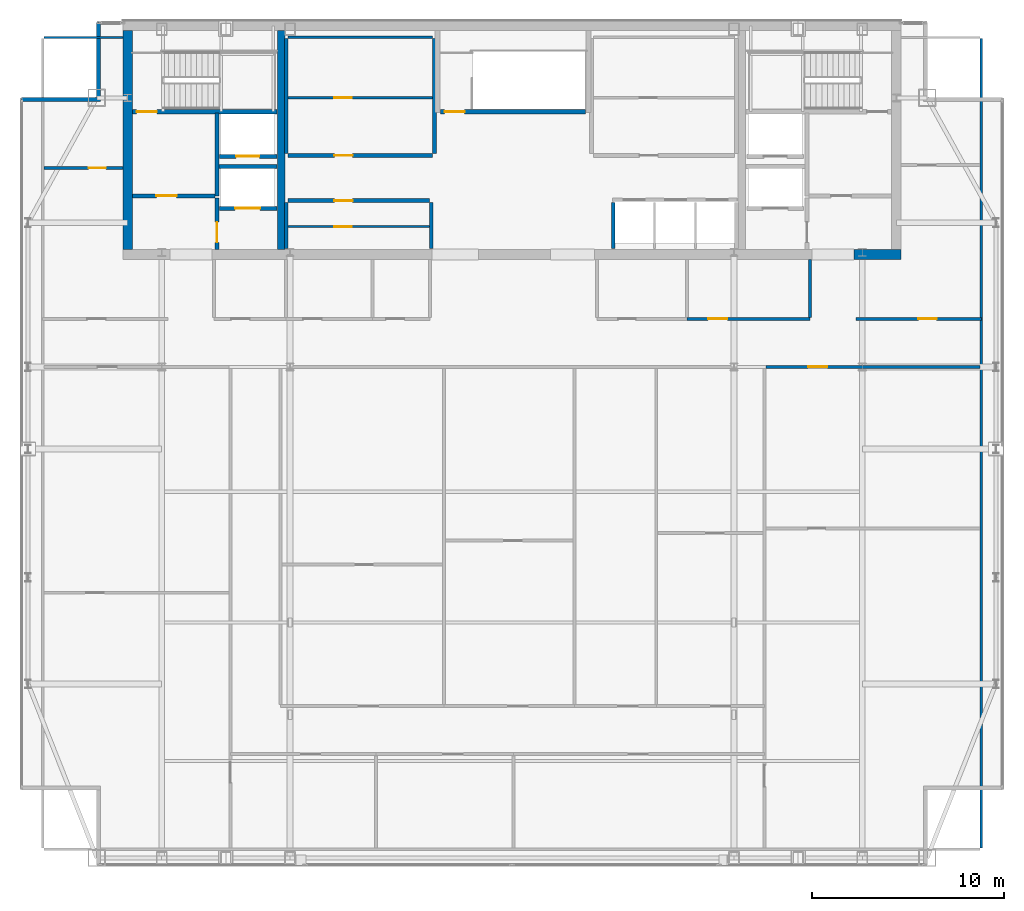
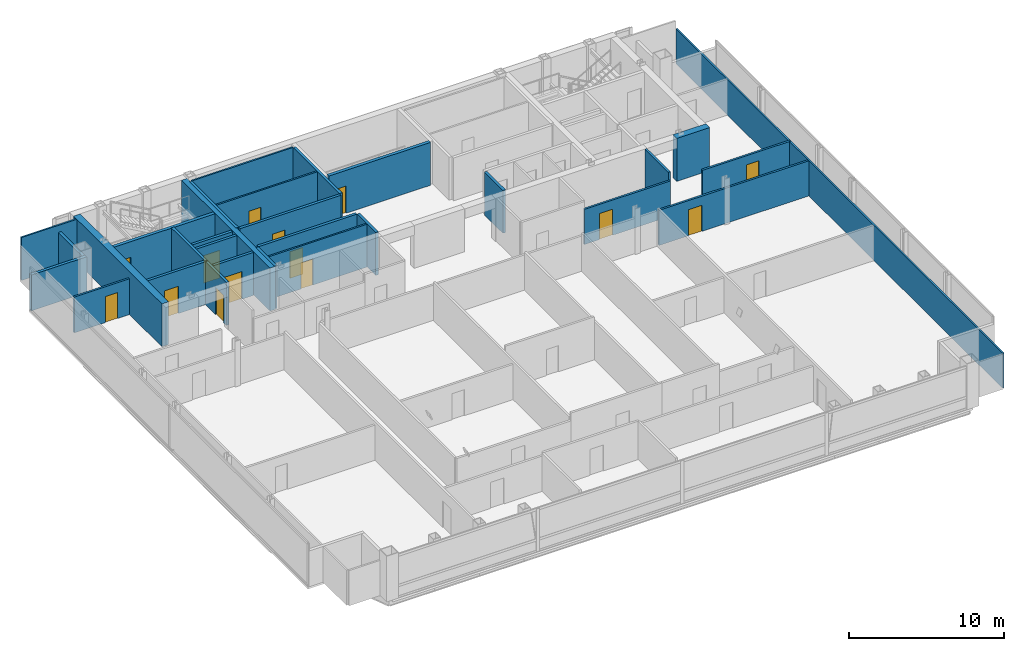
# One storey, part 20 of 24: 30 walls, 14 doors, 14 openings.
"""IFC4 building model written with IfcOpenShell, lengths in metres."""

from ifc_helpers import new_model, si_unit, direction, frame, frame_2d, origin, place, context, subcontext, project, spatial, rectangle, extrude, material, layer, layer_set, type_object, element, fill, save


model = new_model("IFC4")

# Units and contexts
model_context = context("Model", 3, precision=1e-05, world=origin(), true_north=direction((0.0, 1.0)))
body_context = subcontext(model_context, "Body", "Model", "MODEL_VIEW")
ifc_project = project(units=[si_unit("LENGTHUNIT", "METRE"), si_unit("AREAUNIT", "SQUARE_METRE"), si_unit("VOLUMEUNIT", "CUBIC_METRE"), si_unit("PLANEANGLEUNIT", "RADIAN"), si_unit("MASSUNIT", "GRAM", prefix="KILO")], contexts=[model_context])

# Site, building, storey
site_placement = place(None, origin())
site = spatial("IfcSite", under=ifc_project, at=site_placement, CompositionType="ELEMENT")
building_placement = place(site_placement, origin())
building = spatial("IfcBuilding", under=site, at=building_placement, Name="Khoronbel Lancet Exchange", CompositionType="ELEMENT")
storey_placement = place(building_placement, frame((0.0, 0.0, 347.0)))
storey = spatial("IfcBuildingStorey", under=building, at=storey_placement, Name="L90", CompositionType="ELEMENT", Elevation=347.0)

# Walls
ifc_material_1 = material(Name="Concrete C60/75", Category="concrete")
ifc_layer_1 = layer(ifc_material_1, 0.5, Name="Concrete C60/75")
ifc_layer_set_1 = layer_set([ifc_layer_1], Name="Concrete C60/75")
wall_type_1 = type_object("IfcWallType", Name="WL-CW4", PredefinedType="SHEAR", material=ifc_layer_set_1)
wall_1_placement = place(storey_placement, frame((16.449951171875, 41.800048828125, 0.0), z_axis=(0.0, 0.0, 1.0), x_axis=(0.0, 1.0, 0.0)))
element("IfcWall", 1, at=wall_1_placement, inside=storey, type_object=wall_type_1, Name="Level L90 rear core west shear wall", PredefinedType="SHEAR", context=body_context, shape_type="SweptSolid", body=[
    extrude(rectangle(XDim=11.39990234375, YDim=0.5, at=frame_2d((5.699951171875, 0.0))), origin(), (0.0, 0.0, 1.0), 3.3798828125),
])
wall_2_placement = place(storey_placement, frame((56.699951171875, 41.550048828125, 0.0), z_axis=(0.0, 0.0, 1.0), x_axis=(-1.0, 0.0, 0.0)))
element("IfcWall", 2, at=wall_2_placement, inside=storey, type_object=wall_type_1, Name="Level L90 rear core south shear wall pier P5", PredefinedType="SHEAR", context=body_context, shape_type="SweptSolid", body=[
    extrude(rectangle(XDim=2.449951171875, YDim=0.5, at=frame_2d((1.22509765625, 0.0))), origin(), (0.0, 0.0, 1.0), 3.3798828125),
])
ifc_material_2 = material(Name="Precast concrete C40/50", Category="concrete")
ifc_layer_2 = layer(ifc_material_2, 0.25, Name="Precast concrete C40/50")
ifc_layer_set_2 = layer_set([ifc_layer_2], Name="Precast concrete C40/50")
wall_type_2 = type_object("IfcWallType", Name="WL-EXT250", PredefinedType="SOLIDWALL", material=ifc_layer_set_2)
wall_3_placement = place(storey_placement, frame((10.919921875, 49.610107421875, 0.0), z_axis=(0.0, 0.0, 1.0), x_axis=(1.0, 0.0, 0.0)))
element("IfcWall", 3, at=wall_3_placement, inside=storey, type_object=wall_type_2, Name="Level L90 notched-corner limestone pier 04", PredefinedType="SOLIDWALL", context=body_context, shape_type="SweptSolid", body=[
    extrude(rectangle(XDim=4.130126953125, YDim=0.219970703125, at=frame_2d((2.06494140625, 0.0))), origin(), (0.0, 0.0, 1.0), 2.820068359375),
])
wall_4_placement = place(storey_placement, frame((14.93994140625, 49.719970703125, 0.0), z_axis=(0.0, 0.0, 1.0), x_axis=(0.0, 1.0, 0.0)))
element("IfcWall", 4, at=wall_4_placement, inside=storey, type_object=wall_type_2, Name="Level L90 notched-corner limestone pier 05", PredefinedType="SOLIDWALL", context=body_context, shape_type="SweptSolid", body=[
    extrude(rectangle(XDim=3.909912109375, YDim=0.219970703125, at=frame_2d((1.955078125, 0.0))), origin(), (0.0, 0.0, 1.0), 2.820068359375),
])
ifc_material_3 = material(Name="Acoustic Metal-Stud & Mineral-Wool Gypsum Partition 120 mm", Category="gypsum")
ifc_layer_3 = layer(ifc_material_3, 0.1201171875, Name="Acoustic Metal-Stud & Mineral-Wool Gypsum Partition 120 mm")
ifc_layer_set_3 = layer_set([ifc_layer_3], Name="Acoustic Metal-Stud & Mineral-Wool Gypsum Partition 120 mm")
wall_type_3 = type_object("IfcWallType", Name="WL-PRT120", PredefinedType="PARTITIONING", material=ifc_layer_set_3)
wall_5_placement = place(storey_placement, frame((51.949951171875, 38.280029296875, 0.0), z_axis=(0.0, 0.0, 1.0), x_axis=(0.0, 1.0, 0.0)))
element("IfcWall", 5, at=wall_5_placement, inside=storey, type_object=wall_type_3, Name="Level L90 interior partition PW-NP-1", PredefinedType="PARTITIONING", context=body_context, shape_type="SweptSolid", body=[
    extrude(rectangle(XDim=3.02001953125, YDim=0.14990234375, at=frame_2d((1.510009765625, 0.0))), origin(), (0.0, 0.0, 1.0), 3.3798828125),
])

# Wall, opening, door
wall_6_placement = place(storey_placement, frame((12.094970703125, 46.050048828125, 0.0), z_axis=(0.0, 0.0, 1.0), x_axis=(1.0, 0.0, 0.0)))
wall_6 = element("IfcWall", 6, at=wall_6_placement, inside=storey, type_object=wall_type_3, Name="Level L90 interior partition PW-NW-H", PredefinedType="PARTITIONING", context=body_context, shape_type="SweptSolid", body=[
    extrude(rectangle(XDim=4.10498046875, YDim=0.14990234375, at=frame_2d((2.052490234375, 0.0))), origin(), (0.0, 0.0, 1.0), 2.820068359375),
])
opening_1_placement = place(wall_6_placement, frame((2.320068359375, 0.0, 0.0)))
opening_1 = element("IfcOpeningElement", 7, at=opening_1_placement, cuts=wall_6, Name="Opening D5", PredefinedType="OPENING", context=body_context, shape_type="SweptSolid", body=[
    extrude(rectangle(XDim=0.89990234375, YDim=2.050048828125, at=frame_2d((0.449951171875, 1.02490234375))), frame((0.0, 0.0849609375, 0.0), z_axis=(0.0, -1.0, 0.0), x_axis=(1.0, 0.0, 0.0)), (0.0, 0.0, 1.0), 0.169921875),
])
ifc_material_4 = material(Name="Acoustic Timber Pantry & Support Door", Category="wood")
door_type_1 = type_object("IfcDoorType", Name="DR-D5", OperationType="NOTDEFINED", PredefinedType="DOOR", material=ifc_material_4)
door_1_placement = place(opening_1_placement, origin())
door_1 = element("IfcDoor", 8, at=door_1_placement, inside=storey, type_object=door_type_1, Name="NW north room door L90-1", OperationType="SINGLE_SWING_LEFT", OverallHeight=2.050048828125, OverallWidth=0.89990234375, PredefinedType="DOOR", context=body_context, shape_type="SweptSolid", body=[
    extrude(rectangle(XDim=0.89990234375, YDim=2.050048828125, at=frame_2d((0.449951171875, 1.02490234375))), frame((0.0, 0.02490234375, 0.0), z_axis=(0.0, -1.0, 0.0), x_axis=(1.0, 0.0, 0.0)), (0.0, 0.0, 1.0), 0.050048828125),
])
fill(opening_1, door_1)

# Walls
wall_7_placement = place(storey_placement, frame((60.8701171875, 10.6650390625, 0.0), z_axis=(0.0, 0.0, 1.0), x_axis=(0.0, 1.0, 0.0)))
element("IfcWall", 9, at=wall_7_placement, inside=storey, type_object=wall_type_3, Name="Level L90 interior partition PW-LIN-E", PredefinedType="PARTITIONING", context=body_context, shape_type="SweptSolid", body=[
    extrude(rectangle(XDim=42.10986328125, YDim=0.1201171875, at=frame_2d((21.054931640625, 0.0))), origin(), (0.0, 0.0, 1.0), 2.77001953125),
])
wall_8_placement = place(storey_placement, frame((12.094970703125, 52.840087890625, 0.0), z_axis=(0.0, 0.0, 1.0), x_axis=(1.0, 0.0, 0.0)))
element("IfcWall", 10, at=wall_8_placement, inside=storey, type_object=wall_type_3, Name="Level L90 interior partition PW-LIN-NW", PredefinedType="PARTITIONING", context=body_context, shape_type="SweptSolid", body=[
    extrude(rectangle(XDim=4.10498046875, YDim=0.1201171875, at=frame_2d((2.052490234375, 0.0))), origin(), (0.0, 0.0, 1.0), 3.3798828125),
])
ifc_material_5 = material(Name="Fire-Rated Metal-Stud & Mineral-Wool Gypsum Partition 120 mm", Category="gypsum")
ifc_layer_4 = layer(ifc_material_5, 0.1201171875, Name="Fire-Rated Metal-Stud & Mineral-Wool Gypsum Partition 120 mm")
ifc_layer_set_4 = layer_set([ifc_layer_4], Name="Fire-Rated Metal-Stud & Mineral-Wool Gypsum Partition 120 mm")
wall_type_4 = type_object("IfcWallType", Name="WL-PRT120F", PredefinedType="PARTITIONING", material=ifc_layer_set_4)
wall_9_placement = place(storey_placement, frame((24.804931640625, 52.860107421875, 0.0), z_axis=(0.0, 0.0, 1.0), x_axis=(1.0, 0.0, 0.0)))
element("IfcWall", 11, at=wall_9_placement, inside=storey, type_object=wall_type_4, Name="Level L90 interior partition CW-PL-RN", PredefinedType="PARTITIONING", context=body_context, shape_type="SweptSolid", body=[
    extrude(rectangle(XDim=7.510009765625, YDim=0.1201171875, at=frame_2d((3.7548828125, 0.0))), origin(), (0.0, 0.0, 1.0), 3.3798828125),
])

# Wall, opening, door
wall_10_placement = place(storey_placement, frame((24.804931640625, 49.708740234375, 0.0), z_axis=(0.0, 0.0, 1.0), x_axis=(1.0, 0.0, 0.0)))
wall_10 = element("IfcWall", 12, at=wall_10_placement, inside=storey, type_object=wall_type_4, Name="Level L90 interior partition CW-PL-RH", PredefinedType="PARTITIONING", context=body_context, shape_type="SweptSolid", body=[
    extrude(rectangle(XDim=7.510009765625, YDim=0.1201171875, at=frame_2d((3.7548828125, 0.0))), origin(), (0.0, 0.0, 1.0), 3.3798828125),
])
opening_2_placement = place(wall_10_placement, frame((2.39990234375, 0.0, 0.0)))
opening_2 = element("IfcOpeningElement", 13, at=opening_2_placement, cuts=wall_10, Name="Opening FD4", PredefinedType="OPENING", context=body_context, shape_type="SweptSolid", body=[
    extrude(rectangle(XDim=0.89990234375, YDim=2.050048828125, at=frame_2d((0.449951171875, 1.02490234375))), frame((0.0, 0.070068359375, 0.0), z_axis=(0.0, -1.0, 0.0), x_axis=(1.0, 0.0, 0.0)), (0.0, 0.0, 1.0), 0.14013671875),
])
ifc_material_6 = material(Name="Fire-Rated Steel Core Support Door Assembly", Category="steel")
door_type_2 = type_object("IfcDoorType", Name="DR-FD4", OperationType="NOTDEFINED", PredefinedType="DOOR", material=ifc_material_6)
door_2_placement = place(opening_2_placement, origin())
door_2 = element("IfcDoor", 14, at=door_2_placement, inside=storey, type_object=door_type_2, Name="Core PL inner store door L90-1", OperationType="SINGLE_SWING_RIGHT", OverallHeight=2.050048828125, OverallWidth=0.89990234375, PredefinedType="DOOR", context=body_context, shape_type="SweptSolid", body=[
    extrude(rectangle(XDim=0.89990234375, YDim=2.050048828125, at=frame_2d((0.449951171875, 1.02490234375))), frame((0.0, 0.02490234375, 0.0), z_axis=(0.0, -1.0, 0.0), x_axis=(1.0, 0.0, 0.0)), (0.0, 0.0, 1.0), 0.050048828125),
])
fill(opening_2, door_2)

wall_11_placement = place(storey_placement, frame((24.804931640625, 43.001953125, 0.0), z_axis=(0.0, 0.0, 1.0), x_axis=(1.0, 0.0, 0.0)))
wall_11 = element("IfcWall", 15, at=wall_11_placement, inside=storey, type_object=wall_type_4, Name="Level L90 interior partition CW-PM-RH", PredefinedType="PARTITIONING", context=body_context, shape_type="SweptSolid", body=[
    extrude(rectangle(XDim=7.340087890625, YDim=0.1201171875, at=frame_2d((3.669921875, 0.0))), origin(), (0.0, 0.0, 1.0), 3.3798828125),
])
opening_3_placement = place(wall_11_placement, frame((2.39990234375, 0.0, 0.0)))
opening_3 = element("IfcOpeningElement", 16, at=opening_3_placement, cuts=wall_11, Name="Opening FD4", PredefinedType="OPENING", context=body_context, shape_type="SweptSolid", body=[
    extrude(rectangle(XDim=0.89990234375, YDim=2.050048828125, at=frame_2d((0.449951171875, 1.02490234375))), frame((0.0, 0.070068359375, 0.0), z_axis=(0.0, -1.0, 0.0), x_axis=(1.0, 0.0, 0.0)), (0.0, 0.0, 1.0), 0.14013671875),
])
door_3_placement = place(opening_3_placement, origin())
door_3 = element("IfcDoor", 17, at=door_3_placement, inside=storey, type_object=door_type_2, Name="Core PM inner store door L90-1", OperationType="SINGLE_SWING_RIGHT", OverallHeight=2.050048828125, OverallWidth=0.89990234375, PredefinedType="DOOR", context=body_context, shape_type="SweptSolid", body=[
    extrude(rectangle(XDim=0.89990234375, YDim=2.050048828125, at=frame_2d((0.449951171875, 1.02490234375))), frame((0.0, 0.02490234375, 0.0), z_axis=(0.0, -1.0, 0.0), x_axis=(1.0, 0.0, 0.0)), (0.0, 0.0, 1.0), 0.050048828125),
])
fill(opening_3, door_3)

ifc_material_7 = material(Name="Fire-Rated Twin-Stud Acoustic Gypsum Partition 150 mm", Category="gypsum")
ifc_layer_5 = layer(ifc_material_7, 0.14990234375, Name="Fire-Rated Twin-Stud Acoustic Gypsum Partition 150 mm")
ifc_layer_set_5 = layer_set([ifc_layer_5], Name="Fire-Rated Twin-Stud Acoustic Gypsum Partition 150 mm")
wall_type_5 = type_object("IfcWallType", Name="WL-PRT150C", PredefinedType="PARTITIONING", material=ifc_layer_set_5)
wall_12_placement = place(storey_placement, frame((45.550048828125, 38.199951171875, 0.0), z_axis=(0.0, 0.0, 1.0), x_axis=(1.0, 0.0, 0.0)))
wall_12 = element("IfcWall", 18, at=wall_12_placement, inside=storey, type_object=wall_type_5, Name="Level L90 interior partition PW-NP-S2", PredefinedType="PARTITIONING", context=body_context, shape_type="SweptSolid", body=[
    extrude(rectangle(XDim=6.39990234375, YDim=0.14990234375, at=frame_2d((3.199951171875, 0.0))), origin(), (0.0, 0.0, 1.0), 2.77001953125),
])
opening_4_placement = place(wall_12_placement, frame((1.10009765625, 0.0, 0.0)))
opening_4 = element("IfcOpeningElement", 19, at=opening_4_placement, cuts=wall_12, Name="Opening D2", PredefinedType="OPENING", context=body_context, shape_type="SweptSolid", body=[
    extrude(rectangle(XDim=1.0, YDim=2.050048828125, at=frame_2d((0.5, 1.02490234375))), frame((0.0, 0.0849609375, 0.0), z_axis=(0.0, -1.0, 0.0), x_axis=(1.0, 0.0, 0.0)), (0.0, 0.0, 1.0), 0.169921875),
])
ifc_material_8 = material(Name="Acoustic Veneered Timber & Bronze Frame Door", Category="wood")
door_type_3 = type_object("IfcDoorType", Name="DR-D2", OperationType="NOTDEFINED", PredefinedType="DOOR", material=ifc_material_8)
door_4_placement = place(opening_4_placement, origin())
door_4 = element("IfcDoor", 20, at=door_4_placement, inside=storey, type_object=door_type_3, Name="Floor store door L90-1", OperationType="SINGLE_SWING_RIGHT", OverallHeight=2.050048828125, OverallWidth=1.0, PredefinedType="DOOR", context=body_context, shape_type="SweptSolid", body=[
    extrude(rectangle(XDim=1.0, YDim=2.050048828125, at=frame_2d((0.5, 1.02490234375))), frame((0.0, 0.02490234375, 0.0), z_axis=(0.0, -1.0, 0.0), x_axis=(1.0, 0.0, 0.0)), (0.0, 0.0, 1.0), 0.050048828125),
])
fill(opening_4, door_4)

wall_13_placement = place(storey_placement, frame((54.35009765625, 38.199951171875, 0.0), z_axis=(0.0, 0.0, 1.0), x_axis=(1.0, 0.0, 0.0)))
wall_13 = element("IfcWall", 21, at=wall_13_placement, inside=storey, type_object=wall_type_5, Name="Level L90 interior partition PW-NE-S", PredefinedType="PARTITIONING", context=body_context, shape_type="SweptSolid", body=[
    extrude(rectangle(XDim=6.52001953125, YDim=0.14990234375, at=frame_2d((3.260009765625, 0.0))), origin(), (0.0, 0.0, 1.0), 2.77001953125),
])
opening_5_placement = place(wall_13_placement, frame((3.25, 0.0, 0.0)))
opening_5 = element("IfcOpeningElement", 22, at=opening_5_placement, cuts=wall_13, Name="Opening D1", PredefinedType="OPENING", context=body_context, shape_type="SweptSolid", body=[
    extrude(rectangle(XDim=0.949951171875, YDim=2.050048828125, at=frame_2d((0.47509765625, 1.02490234375))), frame((0.0, 0.0849609375, 0.0), z_axis=(0.0, -1.0, 0.0), x_axis=(1.0, 0.0, 0.0)), (0.0, 0.0, 1.0), 0.169921875),
])
door_type_4 = type_object("IfcDoorType", Name="DR-D1", OperationType="NOTDEFINED", PredefinedType="DOOR", material=ifc_material_8)
door_5_placement = place(opening_5_placement, origin())
door_5 = element("IfcDoor", 23, at=door_5_placement, inside=storey, type_object=door_type_4, Name="NE corner room door L90-1", OperationType="SINGLE_SWING_RIGHT", OverallHeight=2.050048828125, OverallWidth=0.949951171875, PredefinedType="DOOR", context=body_context, shape_type="SweptSolid", body=[
    extrude(rectangle(XDim=0.949951171875, YDim=2.050048828125, at=frame_2d((0.47509765625, 1.02490234375))), frame((0.0, 0.02490234375, 0.0), z_axis=(0.0, -1.0, 0.0), x_axis=(1.0, 0.0, 0.0)), (0.0, 0.0, 1.0), 0.050048828125),
])
fill(opening_5, door_5)

wall_14_placement = place(storey_placement, frame((49.659912109375, 35.699951171875, 0.0), z_axis=(0.0, 0.0, 1.0), x_axis=(1.0, 0.0, 0.0)))
wall_14 = element("IfcWall", 24, at=wall_14_placement, inside=storey, type_object=wall_type_5, Name="Level L90 interior partition PW-Z4-EN2", PredefinedType="PARTITIONING", context=body_context, shape_type="SweptSolid", body=[
    extrude(rectangle(XDim=11.14501953125, YDim=0.14990234375, at=frame_2d((5.572509765625, 0.0))), origin(), (0.0, 0.0, 1.0), 2.77001953125),
])
opening_6_placement = place(wall_14_placement, frame((2.199951171875, 0.0, 0.0)))
opening_6 = element("IfcOpeningElement", 25, at=opening_6_placement, cuts=wall_14, Name="Opening D2", PredefinedType="OPENING", context=body_context, shape_type="SweptSolid", body=[
    extrude(rectangle(XDim=1.0, YDim=2.050048828125, at=frame_2d((0.5, 1.02490234375))), frame((0.0, 0.0849609375, 0.0), z_axis=(0.0, -1.0, 0.0), x_axis=(1.0, 0.0, 0.0)), (0.0, 0.0, 1.0), 0.169921875),
])
door_6_placement = place(opening_6_placement, origin())
door_6 = element("IfcDoor", 26, at=door_6_placement, inside=storey, type_object=door_type_3, Name="East lens north door L90-1", OperationType="SINGLE_SWING_LEFT", OverallHeight=2.050048828125, OverallWidth=1.0, PredefinedType="DOOR", context=body_context, shape_type="SweptSolid", body=[
    extrude(rectangle(XDim=1.0, YDim=2.050048828125, at=frame_2d((0.5, 1.02490234375))), frame((0.0, 0.02490234375, 0.0), z_axis=(0.0, -1.0, 0.0), x_axis=(1.0, 0.0, 0.0)), (0.0, 0.0, 1.0), 0.050048828125),
])
fill(opening_6, door_6)

ifc_material_9 = material(Name="Autoclaved Aerated Concrete Blockwork 200 mm", Category="masonry")
ifc_layer_6 = layer(ifc_material_9, 0.199951171875, Name="Autoclaved Aerated Concrete Blockwork 200 mm")
ifc_layer_set_6 = layer_set([ifc_layer_6], Name="Autoclaved Aerated Concrete Blockwork 200 mm")
wall_type_6 = type_object("IfcWallType", Name="WL-PRT200", PredefinedType="PARTITIONING", material=ifc_layer_set_6)
wall_15_placement = place(storey_placement, frame((24.2099609375, 43.949951171875, 0.0), z_axis=(0.0, 0.0, 1.0), x_axis=(-1.0, 0.0, 0.0)))
wall_15 = element("IfcWall", 27, at=wall_15_placement, inside=storey, type_object=wall_type_6, Name="Level L90 elevator hoistway landing front wall SVLW", PredefinedType="PARTITIONING", context=body_context, shape_type="SweptSolid", body=[
    extrude(rectangle(XDim=2.969970703125, YDim=0.199951171875, at=frame_2d((1.48486328125, 0.0))), origin(), (0.0, 0.0, 1.0), 3.3798828125),
])
opening_7_placement = place(wall_15_placement, frame((0.860107421875, 0.0, 0.0)))
opening_7 = element("IfcOpeningElement", 28, at=opening_7_placement, cuts=wall_15, Name="Opening LD-SVL1", PredefinedType="OPENING", context=body_context, shape_type="SweptSolid", body=[
    extrude(rectangle(XDim=1.300048828125, YDim=2.179931640625, at=frame_2d((0.64990234375, 1.08984375))), frame((0.0, 0.10986328125, 0.0), z_axis=(0.0, -1.0, 0.0), x_axis=(1.0, 0.0, 0.0)), (0.0, 0.0, 1.0), 0.219970703125),
])
ifc_material_10 = material(Name="Heavy-Duty Bi-Parting Goods Lift Landing Door", Category="steel")
door_type_5 = type_object("IfcDoorType", Name="DR-LD-SVL", OperationType="NOTDEFINED", PredefinedType="DOOR", material=ifc_material_10)
door_7_placement = place(opening_7_placement, origin())
door_7 = element("IfcDoor", 29, at=door_7_placement, inside=storey, type_object=door_type_5, Name="Elevator landing sliding door LD-SVL1 L90", OperationType="SLIDING_TO_LEFT", OverallHeight=2.179931640625, OverallWidth=1.300048828125, PredefinedType="DOOR", context=body_context, shape_type="SweptSolid", body=[
    extrude(rectangle(XDim=1.300048828125, YDim=2.179931640625, at=frame_2d((0.64990234375, 1.08984375))), frame((0.0, 0.02490234375, 0.0), z_axis=(0.0, -1.0, 0.0), x_axis=(1.0, 0.0, 0.0)), (0.0, 0.0, 1.0), 0.050048828125),
])
fill(opening_7, door_7)

wall_16_placement = place(storey_placement, frame((24.2099609375, 46.64990234375, 0.0), z_axis=(0.0, 0.0, 1.0), x_axis=(-1.0, 0.0, 0.0)))
wall_16 = element("IfcWall", 30, at=wall_16_placement, inside=storey, type_object=wall_type_6, Name="Level L90 elevator hoistway landing front wall FFLW", PredefinedType="PARTITIONING", context=body_context, shape_type="SweptSolid", body=[
    extrude(rectangle(XDim=2.969970703125, YDim=0.199951171875, at=frame_2d((1.48486328125, 0.0))), origin(), (0.0, 0.0, 1.0), 3.3798828125),
])
opening_8_placement = place(wall_16_placement, frame((0.909912109375, 0.0, 0.0)))
opening_8 = element("IfcOpeningElement", 31, at=opening_8_placement, cuts=wall_16, Name="Opening LD-FFL1", PredefinedType="OPENING", context=body_context, shape_type="SweptSolid", body=[
    extrude(rectangle(XDim=1.199951171875, YDim=2.179931640625, at=frame_2d((0.60009765625, 1.08984375))), frame((0.0, 0.10986328125, 0.0), z_axis=(0.0, -1.0, 0.0), x_axis=(1.0, 0.0, 0.0)), (0.0, 0.0, 1.0), 0.219970703125),
])
ifc_material_11 = material(Name="Fire-Rated Stainless Bi-Parting Firefighting Lift Door", Category="steel")
door_type_6 = type_object("IfcDoorType", Name="DR-LD-FFL", OperationType="NOTDEFINED", PredefinedType="DOOR", material=ifc_material_11)
door_8_placement = place(opening_8_placement, origin())
door_8 = element("IfcDoor", 32, at=door_8_placement, inside=storey, type_object=door_type_6, Name="Elevator landing sliding door LD-FFL1 L90", OperationType="SLIDING_TO_LEFT", OverallHeight=2.179931640625, OverallWidth=1.199951171875, PredefinedType="DOOR", context=body_context, shape_type="SweptSolid", body=[
    extrude(rectangle(XDim=1.199951171875, YDim=2.179931640625, at=frame_2d((0.60009765625, 1.08984375))), frame((0.0, 0.02490234375, 0.0), z_axis=(0.0, -1.0, 0.0), x_axis=(1.0, 0.0, 0.0)), (0.0, 0.0, 1.0), 0.050048828125),
])
fill(opening_8, door_8)

# Wall
wall_17_placement = place(storey_placement, frame((21.10009765625, 44.60009765625, 0.0), z_axis=(0.0, 0.0, 1.0), x_axis=(0.0, 1.0, 0.0)))
element("IfcWall", 33, at=wall_17_placement, inside=storey, type_object=wall_type_6, Name="Level L90 interior partition CW-FFLW-E", PredefinedType="PARTITIONING", context=body_context, shape_type="SweptSolid", body=[
    extrude(rectangle(XDim=4.2998046875, YDim=0.199951171875, at=frame_2d((2.14990234375, 0.0))), origin(), (0.0, 0.0, 1.0), 3.3798828125),
])

# Wall, opening, door
wall_18_placement = place(storey_placement, frame((16.699951171875, 44.60009765625, 0.0), z_axis=(0.0, 0.0, 1.0), x_axis=(1.0, 0.0, 0.0)))
wall_18 = element("IfcWall", 34, at=wall_18_placement, inside=storey, type_object=wall_type_6, Name="Level L90 interior partition CW-FFLW-S", PredefinedType="PARTITIONING", context=body_context, shape_type="SweptSolid", body=[
    extrude(rectangle(XDim=4.300048828125, YDim=0.199951171875, at=frame_2d((2.14990234375, 0.0))), origin(), (0.0, 0.0, 1.0), 3.3798828125),
])
opening_9_placement = place(wall_18_placement, frame((1.25, 0.0, 0.0)))
opening_9 = element("IfcOpeningElement", 35, at=opening_9_placement, cuts=wall_18, Name="Opening FD1", PredefinedType="OPENING", context=body_context, shape_type="SweptSolid", body=[
    extrude(rectangle(XDim=1.050048828125, YDim=2.14990234375, at=frame_2d((0.52490234375, 1.074951171875))), frame((0.0, 0.10986328125, 0.0), z_axis=(0.0, -1.0, 0.0), x_axis=(1.0, 0.0, 0.0)), (0.0, 0.0, 1.0), 0.219970703125),
])
ifc_material_12 = material(Name="Fire-Rated Painted Steel Door Assembly", Category="steel")
door_type_7 = type_object("IfcDoorType", Name="DR-FD1", OperationType="NOTDEFINED", PredefinedType="DOOR", material=ifc_material_12)
door_9_placement = place(opening_9_placement, origin())
door_9 = element("IfcDoor", 36, at=door_9_placement, inside=storey, type_object=door_type_7, Name="West firefighting lobby FD90S door L90-1", OperationType="SINGLE_SWING_RIGHT", OverallHeight=2.14990234375, OverallWidth=1.050048828125, PredefinedType="DOOR", context=body_context, shape_type="SweptSolid", body=[
    extrude(rectangle(XDim=1.050048828125, YDim=2.14990234375, at=frame_2d((0.52490234375, 1.074951171875))), frame((0.0, 0.02490234375, 0.0), z_axis=(0.0, -1.0, 0.0), x_axis=(1.0, 0.0, 0.0)), (0.0, 0.0, 1.0), 0.050048828125),
])
fill(opening_9, door_9)

# Wall
wall_19_placement = place(storey_placement, frame((21.199951171875, 46.1201171875, 0.0), z_axis=(0.0, 0.0, 1.0), x_axis=(1.0, 0.0, 0.0)))
element("IfcWall", 37, at=wall_19_placement, inside=storey, type_object=wall_type_6, Name="Level L90 interior partition CW-FFL1-S", PredefinedType="PARTITIONING", context=body_context, shape_type="SweptSolid", body=[
    extrude(rectangle(XDim=3.02001953125, YDim=0.199951171875, at=frame_2d((1.510009765625, 0.0))), origin(), (0.0, 0.0, 1.0), 3.3798828125),
])

# Wall, opening, door
wall_20_placement = place(storey_placement, frame((21.10009765625, 41.800048828125, 0.0), z_axis=(0.0, 0.0, 1.0), x_axis=(0.0, 1.0, 0.0)))
wall_20 = element("IfcWall", 38, at=wall_20_placement, inside=storey, type_object=wall_type_6, Name="Level L90 interior partition CW-SVLW-W", PredefinedType="PARTITIONING", context=body_context, shape_type="SweptSolid", body=[
    extrude(rectangle(XDim=2.695068359375, YDim=0.199951171875, at=frame_2d((1.34765625, 0.0))), origin(), (0.0, 0.0, 1.0), 3.3798828125),
])
opening_10_placement = place(wall_20_placement, frame((0.3798828125, 0.0, 0.0)))
opening_10 = element("IfcOpeningElement", 39, at=opening_10_placement, cuts=wall_20, Name="Opening FD1", PredefinedType="OPENING", context=body_context, shape_type="SweptSolid", body=[
    extrude(rectangle(XDim=1.050048828125, YDim=2.14990234375, at=frame_2d((0.52490234375, 1.074951171875))), frame((0.0, 0.10986328125, 0.0), z_axis=(0.0, -1.0, 0.0), x_axis=(1.0, 0.0, 0.0)), (0.0, 0.0, 1.0), 0.219970703125),
])
door_10_placement = place(opening_10_placement, origin())
door_10 = element("IfcDoor", 40, at=door_10_placement, inside=storey, type_object=door_type_7, Name="West service lift lobby door L90-1", OperationType="SINGLE_SWING_LEFT", OverallHeight=2.14990234375, OverallWidth=1.050048828125, PredefinedType="DOOR", context=body_context, shape_type="SweptSolid", body=[
    extrude(rectangle(XDim=1.050048828125, YDim=2.14990234375, at=frame_2d((0.52490234375, 1.074951171875))), frame((0.0, 0.02490234375, 0.0), z_axis=(0.0, -1.0, 0.0), x_axis=(1.0, 0.0, 0.0)), (0.0, 0.0, 1.0), 0.050048828125),
])
fill(opening_10, door_10)

# Walls
for number, where, z_axis, x_axis, name in (
    (41, (24.699951171875, 46.804931640625, 0.0), (0.0, 0.0, 1.0), (0.0, 1.0, 0.0), "Level L90 interior partition CW-PL-RW"),
    (42, (32.419921875, 46.804931640625, 0.0), (0.0, 0.0, 1.0), (0.0, 1.0, 0.0), "Level L90 interior partition CW-PL-RE"),
):
    element("IfcWall", number, at=place(storey_placement, frame(where, z_axis=z_axis, x_axis=x_axis)), inside=storey, type_object=wall_type_6, Name=name, PredefinedType="PARTITIONING", context=body_context, shape_type="SweptSolid", body=[
        extrude(rectangle(XDim=5.989990234375, YDim=0.199951171875, at=frame_2d((2.9951171875, 0.0))), origin(), (0.0, 0.0, 1.0), 3.3798828125),
    ])

# Wall, opening, door
wall_21_placement = place(storey_placement, frame((24.804931640625, 46.699951171875, 0.0), z_axis=(0.0, 0.0, 1.0), x_axis=(1.0, 0.0, 0.0)))
wall_21 = element("IfcWall", 43, at=wall_21_placement, inside=storey, type_object=wall_type_6, Name="Level L90 interior partition CW-PL-RF", PredefinedType="PARTITIONING", context=body_context, shape_type="SweptSolid", body=[
    extrude(rectangle(XDim=7.510009765625, YDim=0.199951171875, at=frame_2d((3.7548828125, 0.0))), origin(), (0.0, 0.0, 1.0), 3.3798828125),
])
opening_11_placement = place(wall_21_placement, frame((2.39990234375, 0.0, 0.0)))
opening_11 = element("IfcOpeningElement", 44, at=opening_11_placement, cuts=wall_21, Name="Opening FD3", PredefinedType="OPENING", context=body_context, shape_type="SweptSolid", body=[
    extrude(rectangle(XDim=0.949951171875, YDim=2.10009765625, at=frame_2d((0.47509765625, 1.050048828125))), frame((0.0, 0.10986328125, 0.0), z_axis=(0.0, -1.0, 0.0), x_axis=(1.0, 0.0, 0.0)), (0.0, 0.0, 1.0), 0.219970703125),
])
ifc_material_13 = material(Name="Fire-Rated Steel Plant & Riser Door Assembly", Category="steel")
door_type_8 = type_object("IfcDoorType", Name="DR-FD3", OperationType="NOTDEFINED", PredefinedType="DOOR", material=ifc_material_13)
door_11_placement = place(opening_11_placement, origin())
door_11 = element("IfcDoor", 45, at=door_11_placement, inside=storey, type_object=door_type_8, Name="Core PL merged gallery room door L90-1", OperationType="SINGLE_SWING_LEFT", OverallHeight=2.10009765625, OverallWidth=0.949951171875, PredefinedType="DOOR", context=body_context, shape_type="SweptSolid", body=[
    extrude(rectangle(XDim=0.949951171875, YDim=2.10009765625, at=frame_2d((0.47509765625, 1.050048828125))), frame((0.0, 0.02490234375, 0.0), z_axis=(0.0, -1.0, 0.0), x_axis=(1.0, 0.0, 0.0)), (0.0, 0.0, 1.0), 0.050048828125),
])
fill(opening_11, door_11)

# Walls
for number, where, z_axis, x_axis, name in (
    (46, (24.699951171875, 41.85009765625, 0.0), (0.0, 0.0, 1.0), (0.0, 1.0, 0.0), "Level L90 interior partition CW-PM-RW"),
    (47, (32.25, 41.85009765625, 0.0), (0.0, 0.0, 1.0), (0.0, 1.0, 0.0), "Level L90 interior partition CW-PM-RE"),
):
    element("IfcWall", number, at=place(storey_placement, frame(where, z_axis=z_axis, x_axis=x_axis)), inside=storey, type_object=wall_type_6, Name=name, PredefinedType="PARTITIONING", context=body_context, shape_type="SweptSolid", body=[
        extrude(rectangle(XDim=2.39501953125, YDim=0.199951171875, at=frame_2d((1.197509765625, 0.0))), origin(), (0.0, 0.0, 1.0), 3.3798828125),
    ])

# Wall, opening, door
wall_22_placement = place(storey_placement, frame((24.804931640625, 44.35009765625, 0.0), z_axis=(0.0, 0.0, 1.0), x_axis=(1.0, 0.0, 0.0)))
wall_22 = element("IfcWall", 48, at=wall_22_placement, inside=storey, type_object=wall_type_6, Name="Level L90 interior partition CW-PM-RF", PredefinedType="PARTITIONING", context=body_context, shape_type="SweptSolid", body=[
    extrude(rectangle(XDim=7.340087890625, YDim=0.199951171875, at=frame_2d((3.669921875, 0.0))), origin(), (0.0, 0.0, 1.0), 3.3798828125),
])
opening_12_placement = place(wall_22_placement, frame((2.39990234375, 0.0, 0.0)))
opening_12 = element("IfcOpeningElement", 49, at=opening_12_placement, cuts=wall_22, Name="Opening FD3", PredefinedType="OPENING", context=body_context, shape_type="SweptSolid", body=[
    extrude(rectangle(XDim=0.949951171875, YDim=2.10009765625, at=frame_2d((0.47509765625, 1.050048828125))), frame((0.0, 0.10986328125, 0.0), z_axis=(0.0, -1.0, 0.0), x_axis=(1.0, 0.0, 0.0)), (0.0, 0.0, 1.0), 0.219970703125),
])
door_12_placement = place(opening_12_placement, origin())
door_12 = element("IfcDoor", 50, at=door_12_placement, inside=storey, type_object=door_type_8, Name="Core PM merged gallery room door L90-1", OperationType="SINGLE_SWING_LEFT", OverallHeight=2.10009765625, OverallWidth=0.949951171875, PredefinedType="DOOR", context=body_context, shape_type="SweptSolid", body=[
    extrude(rectangle(XDim=0.949951171875, YDim=2.10009765625, at=frame_2d((0.47509765625, 1.050048828125))), frame((0.0, 0.02490234375, 0.0), z_axis=(0.0, -1.0, 0.0), x_axis=(1.0, 0.0, 0.0)), (0.0, 0.0, 1.0), 0.050048828125),
])
fill(opening_12, door_12)

# Walls
wall_23_placement = place(storey_placement, frame((41.719970703125, 41.85009765625, 0.0), z_axis=(0.0, 0.0, 1.0), x_axis=(0.0, 1.0, 0.0)))
element("IfcWall", 51, at=wall_23_placement, inside=storey, type_object=wall_type_6, Name="Level L90 interior partition CW-PX-W", PredefinedType="PARTITIONING", context=body_context, shape_type="SweptSolid", body=[
    extrude(rectangle(XDim=2.39990234375, YDim=0.199951171875, at=frame_2d((1.199951171875, 0.0))), origin(), (0.0, 0.0, 1.0), 3.3798828125),
])
ifc_layer_7 = layer(ifc_material_1, 0.39990234375, Name="Concrete C60/75")
ifc_layer_set_7 = layer_set([ifc_layer_7], Name="Concrete C60/75")
wall_type_7 = type_object("IfcWallType", Name="WL-SW2", PredefinedType="SHEAR", material=ifc_layer_set_7)
wall_24_placement = place(storey_placement, frame((24.449951171875, 41.800048828125, 0.0), z_axis=(0.0, 0.0, 1.0), x_axis=(0.0, 1.0, 0.0)))
element("IfcWall", 52, at=wall_24_placement, inside=storey, type_object=wall_type_7, Name="Level L90 rear core internal spine shear wall IW", PredefinedType="SHEAR", context=body_context, shape_type="SweptSolid", body=[
    extrude(rectangle(XDim=11.39990234375, YDim=0.39990234375, at=frame_2d((5.699951171875, 0.0))), origin(), (0.0, 0.0, 1.0), 3.3798828125),
])

# Wall, opening, door
ifc_layer_8 = layer(ifc_material_1, 0.260009765625, Name="Concrete C60/75")
ifc_layer_set_8 = layer_set([ifc_layer_8], Name="Concrete C60/75")
wall_type_8 = type_object("IfcWallType", Name="WL-SW3", PredefinedType="SHEAR", material=ifc_layer_set_8)
wall_25_placement = place(storey_placement, frame((16.699951171875, 48.97998046875, 0.0), z_axis=(0.0, 0.0, 1.0), x_axis=(1.0, 0.0, 0.0)))
wall_25 = element("IfcWall", 53, at=wall_25_placement, inside=storey, type_object=wall_type_8, Name="Level L90 west stairwell structural south wall", PredefinedType="SHEAR", context=body_context, shape_type="SweptSolid", body=[
    extrude(rectangle(XDim=7.52001953125, YDim=0.239990234375, at=frame_2d((3.760009765625, 0.0))), origin(), (0.0, 0.0, 1.0), 3.3798828125),
])
opening_13_placement = place(wall_25_placement, frame((0.219970703125, 0.0, 0.0)))
opening_13 = element("IfcOpeningElement", 54, at=opening_13_placement, cuts=wall_25, Name="Opening SD1", PredefinedType="OPENING", context=body_context, shape_type="SweptSolid", body=[
    extrude(rectangle(XDim=1.050048828125, YDim=2.14990234375, at=frame_2d((0.52490234375, 1.074951171875))), frame((0.0, 0.1298828125, 0.0), z_axis=(0.0, -1.0, 0.0), x_axis=(1.0, 0.0, 0.0)), (0.0, 0.0, 1.0), 0.260009765625),
])
ifc_material_14 = material(Name="Fire-Rated Steel Stairwell Door Assembly", Category="steel")
door_type_9 = type_object("IfcDoorType", Name="DR-SD1", OperationType="NOTDEFINED", PredefinedType="DOOR", material=ifc_material_14)
door_13_placement = place(opening_13_placement, origin())
door_13 = element("IfcDoor", 55, at=door_13_placement, inside=storey, type_object=door_type_9, Name="Protected exit stair ST1 door L90", OperationType="SINGLE_SWING_LEFT", OverallHeight=2.14990234375, OverallWidth=1.050048828125, PredefinedType="DOOR", context=body_context, shape_type="SweptSolid", body=[
    extrude(rectangle(XDim=1.050048828125, YDim=2.14990234375, at=frame_2d((0.52490234375, 1.074951171875))), frame((0.0, 0.02490234375, 0.0), z_axis=(0.0, -1.0, 0.0), x_axis=(1.0, 0.0, 0.0)), (0.0, 0.0, 1.0), 0.050048828125),
])
fill(opening_13, door_13)

wall_26_placement = place(storey_placement, frame((32.719970703125, 48.97998046875, 0.0), z_axis=(0.0, 0.0, 1.0), x_axis=(1.0, 0.0, 0.0)))
wall_26 = element("IfcWall", 56, at=wall_26_placement, inside=storey, type_object=wall_type_8, Name="Level L90 central stairwell structural south wall", PredefinedType="SHEAR", context=body_context, shape_type="SweptSolid", body=[
    extrude(rectangle(XDim=7.56005859375, YDim=0.239990234375, at=frame_2d((3.780029296875, 0.0))), origin(), (0.0, 0.0, 1.0), 3.3798828125),
])
opening_14_placement = place(wall_26_placement, frame((0.219970703125, 0.0, 0.0)))
opening_14 = element("IfcOpeningElement", 57, at=opening_14_placement, cuts=wall_26, Name="Opening SD1", PredefinedType="OPENING", context=body_context, shape_type="SweptSolid", body=[
    extrude(rectangle(XDim=1.050048828125, YDim=2.14990234375, at=frame_2d((0.52490234375, 1.074951171875))), frame((0.0, 0.1298828125, 0.0), z_axis=(0.0, -1.0, 0.0), x_axis=(1.0, 0.0, 0.0)), (0.0, 0.0, 1.0), 0.260009765625),
])
door_14_placement = place(opening_14_placement, origin())
door_14 = element("IfcDoor", 58, at=door_14_placement, inside=storey, type_object=door_type_9, Name="Protected exit stair ST3 door L90", OperationType="SINGLE_SWING_LEFT", OverallHeight=2.14990234375, OverallWidth=1.050048828125, PredefinedType="DOOR", context=body_context, shape_type="SweptSolid", body=[
    extrude(rectangle(XDim=1.050048828125, YDim=2.14990234375, at=frame_2d((0.52490234375, 1.074951171875))), frame((0.0, 0.02490234375, 0.0), z_axis=(0.0, -1.0, 0.0), x_axis=(1.0, 0.0, 0.0)), (0.0, 0.0, 1.0), 0.050048828125),
])
fill(opening_14, door_14)

save(model, "model.ifc")
